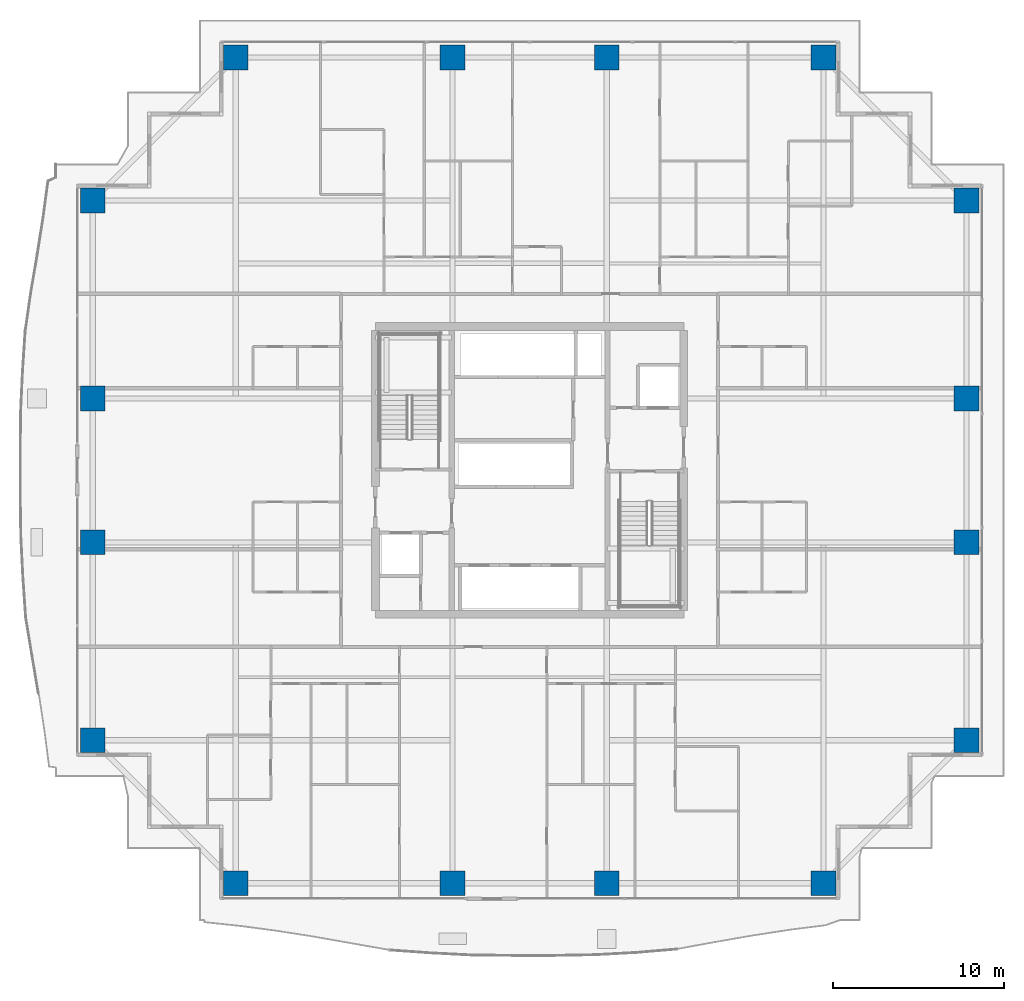
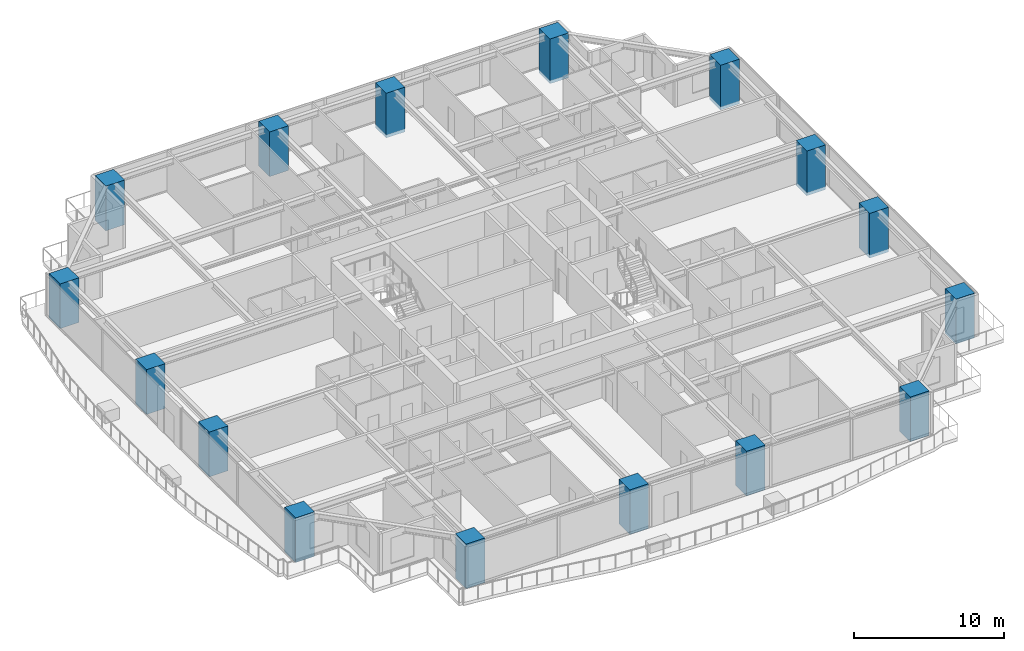
# One storey, part 1 of 40: 16 columns.
"""IFC4 building model written with IfcOpenShell, lengths in metres."""

from ifc_helpers import new_model, si_unit, direction, frame, origin, origin_2d, place, context, subcontext, project, spatial, rectangle, extrude, source, transform, mapped, material, material_profile, profile_set, type_object, element, save


model = new_model("IFC4")

# Units and contexts
model_context = context("Model", 3, precision=1e-05, world=origin(), true_north=direction((0.0, 1.0)))
body_context = subcontext(model_context, "Body", "Model", "MODEL_VIEW")
ifc_project = project(units=[si_unit("LENGTHUNIT", "METRE"), si_unit("AREAUNIT", "SQUARE_METRE"), si_unit("VOLUMEUNIT", "CUBIC_METRE"), si_unit("PLANEANGLEUNIT", "RADIAN"), si_unit("MASSUNIT", "GRAM", prefix="KILO")], contexts=[model_context])

# Site, building, storey
site_placement = place(None, origin())
site = spatial("IfcSite", under=ifc_project, at=site_placement, CompositionType="ELEMENT")
building_placement = place(site_placement, origin())
building = spatial("IfcBuilding", under=site, at=building_placement, Name="Serunith Strait Residences", CompositionType="ELEMENT")
storey_placement = place(building_placement, frame((0.0, 0.0, 105.449951171875)))
storey = spatial("IfcBuildingStorey", under=building, at=storey_placement, Name="L26", CompositionType="ELEMENT", Elevation=105.449951171875)

# Columns
ifc_material = material(Name="Concrete C90/105", Category="concrete")
ifc_material_profile = material_profile(ifc_material, rectangle(XDim=1.449951171875, YDim=1.449951171875, at=origin_2d()), Name="RC 1450x1450")
ifc_profile_set = profile_set([ifc_material_profile], Name="Concrete C90/105")
column_type = type_object("IfcColumnType", Name="COL-RC-1450", PredefinedType="COLUMN", material=ifc_profile_set)
shared_shape = source(origin(), body_context, "Body", "SweptSolid", [
    extrude(rectangle(XDim=1.449951171875, YDim=1.449951171875, at=origin_2d()), origin(), (0.0, 0.0, 1.0), 3.650146484375),
])
for number, where, z_axis, x_axis, name in (
    (1, (15.25, 1.10009765625, -0.260009765625), (0.0, 0.0, 1.0), (1.0, 0.0, 0.0), "L26 Tower Mega-Column TC-S1"),
    (2, (27.89990234375, 1.10009765625, -0.260009765625), (0.0, 0.0, 1.0), (1.0, 0.0, 0.0), "L26 Tower Mega-Column TC-S2"),
    (3, (36.89990234375, 1.10009765625, -0.260009765625), (0.0, 0.0, 1.0), (1.0, 0.0, 0.0), "L26 Tower Mega-Column TC-S3"),
    (4, (49.550048828125, 1.10009765625, -0.260009765625), (0.0, 0.0, 1.0), (1.0, 0.0, 0.0), "L26 Tower Mega-Column TC-S4"),
    (5, (15.25, 49.300048828125, -0.260009765625), (0.0, 0.0, 1.0), (1.0, 0.0, 0.0), "L26 Tower Mega-Column TC-N1"),
    (6, (27.89990234375, 49.300048828125, -0.260009765625), (0.0, 0.0, 1.0), (1.0, 0.0, 0.0), "L26 Tower Mega-Column TC-N2"),
    (7, (36.89990234375, 49.300048828125, -0.260009765625), (0.0, 0.0, 1.0), (1.0, 0.0, 0.0), "L26 Tower Mega-Column TC-N3"),
    (8, (49.550048828125, 49.300048828125, -0.260009765625), (0.0, 0.0, 1.0), (1.0, 0.0, 0.0), "L26 Tower Mega-Column TC-N4"),
    (9, (57.89990234375, 9.449951171875, -0.260009765625), (0.0, 0.0, 1.0), (1.0, 0.0, 0.0), "L26 Tower Mega-Column TC-E1"),
    (10, (57.89990234375, 21.0, -0.260009765625), (0.0, 0.0, 1.0), (1.0, 0.0, 0.0), "L26 Tower Mega-Column TC-E2"),
    (11, (57.89990234375, 29.39990234375, -0.260009765625), (0.0, 0.0, 1.0), (1.0, 0.0, 0.0), "L26 Tower Mega-Column TC-E3"),
    (12, (57.89990234375, 40.949951171875, -0.260009765625), (0.0, 0.0, 1.0), (1.0, 0.0, 0.0), "L26 Tower Mega-Column TC-E4"),
    (13, (6.89990234375, 9.449951171875, -0.260009765625), (0.0, 0.0, 1.0), (1.0, 0.0, 0.0), "L26 Tower Mega-Column TC-W1"),
    (14, (6.89990234375, 21.0, -0.260009765625), (0.0, 0.0, 1.0), (1.0, 0.0, 0.0), "L26 Tower Mega-Column TC-W2"),
    (15, (6.89990234375, 29.39990234375, -0.260009765625), (0.0, 0.0, 1.0), (1.0, 0.0, 0.0), "L26 Tower Mega-Column TC-W3"),
    (16, (6.89990234375, 40.949951171875, -0.260009765625), (0.0, 0.0, 1.0), (1.0, 0.0, 0.0), "L26 Tower Mega-Column TC-W4"),
):
    element("IfcColumn", number, at=place(storey_placement, frame(where, z_axis=z_axis, x_axis=x_axis)), inside=storey, type_object=column_type, Name=name, PredefinedType="COLUMN", context=body_context, shape_type="MappedRepresentation", body=[
        mapped(shared_shape, transform((0.0, 0.0, 0.0), scale=1.0)),
    ])

save(model, "model.ifc")
